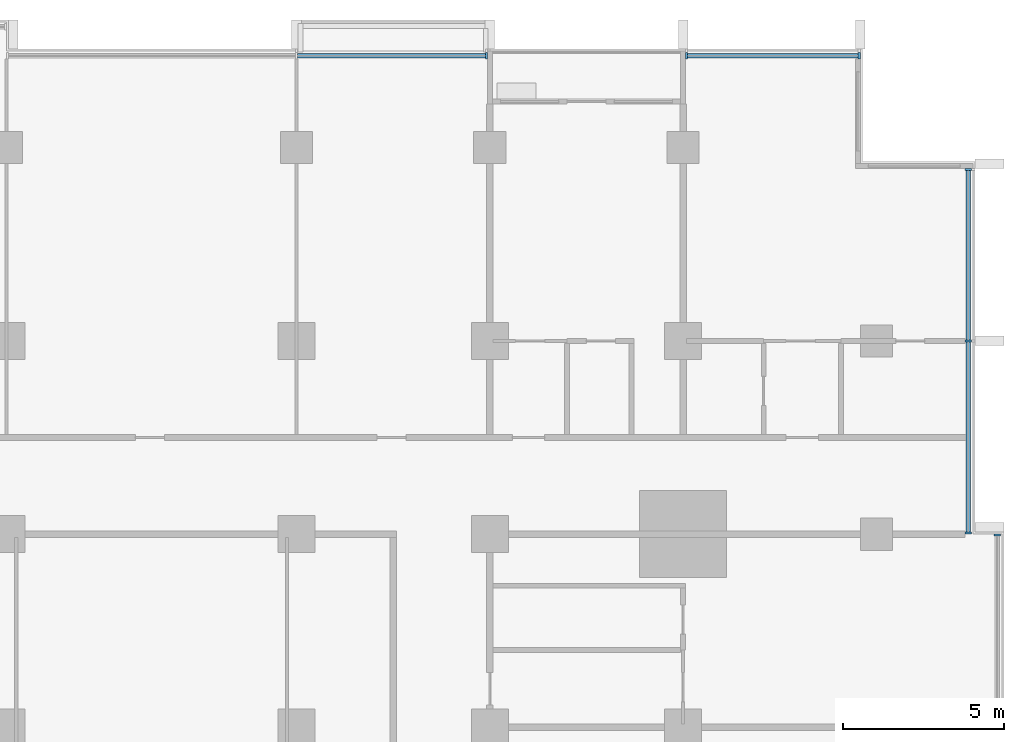
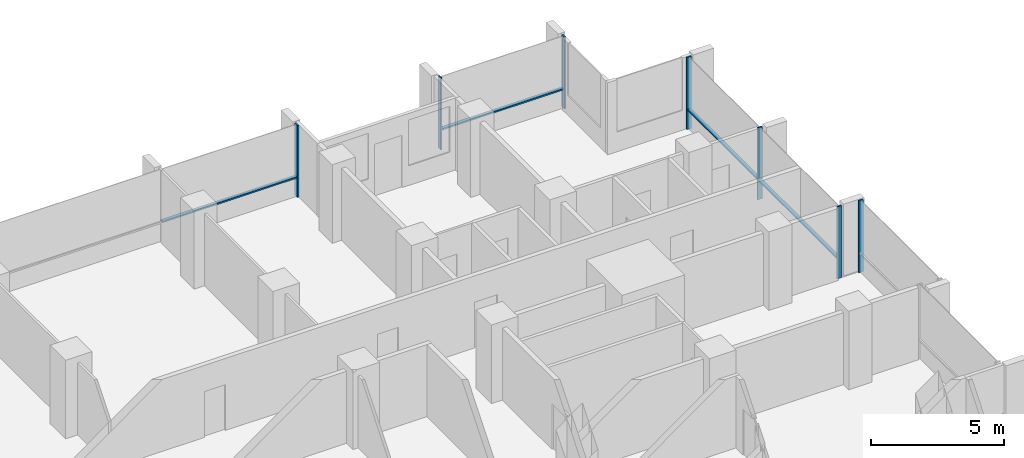
# One storey, part 5 of 17: 11 members, 4 elements without a shape of their own.
"""IFC4 building model written with IfcOpenShell, lengths in metres."""

from ifc_helpers import new_model, si_unit, direction, frame, origin, origin_2d, place, context, subcontext, project, spatial, rectangle, extrude, material, material_profile, profile_set, type_object, element, aggregate, save


model = new_model("IFC4")

# Units and contexts
model_context = context("Model", 3, precision=1e-05, world=origin(), true_north=direction((0.0, 1.0)))
body_context = subcontext(model_context, "Body", "Model", "MODEL_VIEW")
ifc_project = project(units=[si_unit("LENGTHUNIT", "METRE"), si_unit("AREAUNIT", "SQUARE_METRE"), si_unit("VOLUMEUNIT", "CUBIC_METRE"), si_unit("PLANEANGLEUNIT", "RADIAN"), si_unit("MASSUNIT", "GRAM", prefix="KILO")], contexts=[model_context])

# Site, building, storey
site_placement = place(None, origin())
site = spatial("IfcSite", under=ifc_project, at=site_placement, CompositionType="ELEMENT")
building_placement = place(site_placement, origin())
building = spatial("IfcBuilding", under=site, at=building_placement, Name="Finial Court Residences", CompositionType="ELEMENT")
storey_placement = place(building_placement, frame((0.0, 0.0, 117.10009765625)))
storey = spatial("IfcBuildingStorey", under=building, at=storey_placement, Name="L29", CompositionType="ELEMENT", Elevation=117.10009765625)

# Curtain wall, member
ifc_material = material(Name="Bronze anodised aluminium", Category="aluminium")
curtain_wall_type = type_object("IfcCurtainWallType", Name="Unitised curtain wall, lower and middle zones", PredefinedType="NOTDEFINED", material=ifc_material)
curtain_wall_1_placement = place(storey_placement, origin())
curtain_wall_1 = element("IfcCurtainWall", 1, at=curtain_wall_1_placement, inside=storey, type_object=curtain_wall_type, Name="E-L29-CW-N3", PredefinedType="NOTDEFINED")
ifc_material_profile_1 = material_profile(ifc_material, rectangle(XDim=0.199951171875, YDim=0.06494140625, at=origin_2d()), Name="CW1 mullion 65 x 200")
ifc_profile_set_1 = profile_set([ifc_material_profile_1], Name="Bronze anodised aluminium")
member_type_1 = type_object("IfcMemberType", Name="CW1 mullion 65 x 200", PredefinedType="MULLION", material=ifc_profile_set_1)
member_1_placement = place(storey_placement, frame((10.392578125, 22.35009765625, 0.0), z_axis=(0.0, 0.0, 1.0), x_axis=(0.0, 1.0, 0.0)))
member_1 = element("IfcMember", 2, at=member_1_placement, type_object=member_type_1, Name="CW1 mullion 3", PredefinedType="MULLION", context=body_context, shape_type="SweptSolid", body=[
    extrude(rectangle(XDim=0.199951171875, YDim=0.06494140625, at=origin_2d()), origin(), (0.0, 0.0, 1.0), 3.2998046875),
])

# Curtain wall, members
curtain_wall_2_placement = place(storey_placement, origin())
curtain_wall_2 = element("IfcCurtainWall", 3, at=curtain_wall_2_placement, inside=storey, type_object=curtain_wall_type, Name="E-L29-CW-N4", PredefinedType="NOTDEFINED")
member_2_placement = place(storey_placement, frame((16.607421875, 22.35009765625, 0.0), z_axis=(0.0, 0.0, 1.0), x_axis=(0.0, 1.0, 0.0)))
member_2 = element("IfcMember", 4, at=member_2_placement, type_object=member_type_1, Name="CW1 mullion 1", PredefinedType="MULLION", context=body_context, shape_type="SweptSolid", body=[
    extrude(rectangle(XDim=0.199951171875, YDim=0.06494140625, at=origin_2d()), origin(), (0.0, 0.0, 1.0), 3.2998046875),
])
member_3_placement = place(storey_placement, frame((21.967529296875, 22.35009765625, 0.0), z_axis=(0.0, 0.0, 1.0), x_axis=(0.0, 1.0, 0.0)))
member_3 = element("IfcMember", 5, at=member_3_placement, type_object=member_type_1, Name="CW1 mullion 2", PredefinedType="MULLION", context=body_context, shape_type="SweptSolid", body=[
    extrude(rectangle(XDim=0.199951171875, YDim=0.06494140625, at=origin_2d()), origin(), (0.0, 0.0, 1.0), 3.2998046875),
])

# Curtain wall, member
curtain_wall_3_placement = place(storey_placement, origin())
curtain_wall_3 = element("IfcCurtainWall", 6, at=curtain_wall_3_placement, inside=storey, type_object=curtain_wall_type, Name="E-L29-CW-E7", PredefinedType="NOTDEFINED")
member_4_placement = place(storey_placement, frame((26.25, 7.467529296875, 0.0), z_axis=(0.0, 0.0, 1.0), x_axis=(-1.0, 0.0, 0.0)))
member_4 = element("IfcMember", 7, at=member_4_placement, type_object=member_type_1, Name="CW1 mullion 2", PredefinedType="MULLION", context=body_context, shape_type="SweptSolid", body=[
    extrude(rectangle(XDim=0.199951171875, YDim=0.06494140625, at=origin_2d()), origin(), (0.0, 0.0, 1.0), 3.2998046875),
])
aggregate(curtain_wall_3, [member_4])

# Curtain wall, members
curtain_wall_4_placement = place(storey_placement, origin())
curtain_wall_4 = element("IfcCurtainWall", 8, at=curtain_wall_4_placement, inside=storey, type_object=curtain_wall_type, Name="E-L29-CW-E8", PredefinedType="NOTDEFINED")
member_5_placement = place(storey_placement, frame((25.35009765625, 7.532470703125, 0.0), z_axis=(0.0, 0.0, 1.0), x_axis=(-1.0, 0.0, 0.0)))
member_5 = element("IfcMember", 9, at=member_5_placement, type_object=member_type_1, Name="CW1 mullion 1", PredefinedType="MULLION", context=body_context, shape_type="SweptSolid", body=[
    extrude(rectangle(XDim=0.199951171875, YDim=0.06494140625, at=origin_2d()), origin(), (0.0, 0.0, 1.0), 3.2998046875),
])
member_6_placement = place(storey_placement, frame((25.35009765625, 13.5, 0.0), z_axis=(0.0, 0.0, 1.0), x_axis=(-1.0, 0.0, 0.0)))
member_6 = element("IfcMember", 10, at=member_6_placement, type_object=member_type_1, Name="CW1 mullion 2", PredefinedType="MULLION", context=body_context, shape_type="SweptSolid", body=[
    extrude(rectangle(XDim=0.199951171875, YDim=0.06494140625, at=origin_2d()), origin(), (0.0, 0.0, 1.0), 3.2998046875),
])
member_7_placement = place(storey_placement, frame((25.35009765625, 18.8173828125, 0.0), z_axis=(0.0, 0.0, 1.0), x_axis=(-1.0, 0.0, 0.0)))
member_7 = element("IfcMember", 11, at=member_7_placement, type_object=member_type_1, Name="CW1 mullion 3", PredefinedType="MULLION", context=body_context, shape_type="SweptSolid", body=[
    extrude(rectangle(XDim=0.199951171875, YDim=0.06494140625, at=origin_2d()), origin(), (0.0, 0.0, 1.0), 3.2998046875),
])

# Member
ifc_material_profile_2 = material_profile(ifc_material, rectangle(XDim=0.14990234375, YDim=0.06494140625, at=origin_2d()), Name="CW1 transom 65 x 150")
ifc_profile_set_2 = profile_set([ifc_material_profile_2], Name="Bronze anodised aluminium")
member_type_2 = type_object("IfcMemberType", Name="CW1 transom 65 x 150", PredefinedType="USERDEFINED", material=ifc_profile_set_2)
member_8_placement = place(storey_placement, frame((4.532470703125, 22.35009765625, 0.89990234375), z_axis=(1.0, 0.0, 0.0), x_axis=(0.0, 1.0, 0.0)))
member_8 = element("IfcMember", 12, at=member_8_placement, type_object=member_type_2, Name="CW1 transom 2.1", ObjectType="TRANSOM", PredefinedType="USERDEFINED", context=body_context, shape_type="SweptSolid", body=[
    extrude(rectangle(XDim=0.14990234375, YDim=0.06494140625, at=origin_2d()), origin(), (0.0, 0.0, 1.0), 5.82763671875),
])

aggregate(curtain_wall_1, [member_1, member_8])

member_9_placement = place(storey_placement, frame((16.639892578125, 22.35009765625, 0.89990234375), z_axis=(1.0, 0.0, 0.0), x_axis=(0.0, 1.0, 0.0)))
member_9 = element("IfcMember", 13, at=member_9_placement, type_object=member_type_2, Name="CW1 transom 1.1", ObjectType="TRANSOM", PredefinedType="USERDEFINED", context=body_context, shape_type="SweptSolid", body=[
    extrude(rectangle(XDim=0.14990234375, YDim=0.06494140625, at=origin_2d()), origin(), (0.0, 0.0, 1.0), 5.295166015625),
])

aggregate(curtain_wall_2, [member_2, member_3, member_9])

member_10_placement = place(storey_placement, frame((25.35009765625, 7.56494140625, 0.89990234375), z_axis=(0.0, 1.0, 0.0), x_axis=(-1.0, 0.0, 0.0)))
member_10 = element("IfcMember", 14, at=member_10_placement, type_object=member_type_2, Name="CW1 transom 1.1", ObjectType="TRANSOM", PredefinedType="USERDEFINED", context=body_context, shape_type="SweptSolid", body=[
    extrude(rectangle(XDim=0.14990234375, YDim=0.06494140625, at=origin_2d()), origin(), (0.0, 0.0, 1.0), 5.902587890625),
])

member_11_placement = place(storey_placement, frame((25.35009765625, 13.532470703125, 0.89990234375), z_axis=(0.0, 1.0, 0.0), x_axis=(-1.0, 0.0, 0.0)))
member_11 = element("IfcMember", 15, at=member_11_placement, type_object=member_type_2, Name="CW1 transom 2.1", ObjectType="TRANSOM", PredefinedType="USERDEFINED", context=body_context, shape_type="SweptSolid", body=[
    extrude(rectangle(XDim=0.14990234375, YDim=0.06494140625, at=origin_2d()), origin(), (0.0, 0.0, 1.0), 5.25244140625),
])

aggregate(curtain_wall_4, [member_5, member_6, member_7, member_10, member_11])

save(model, "model.ifc")
